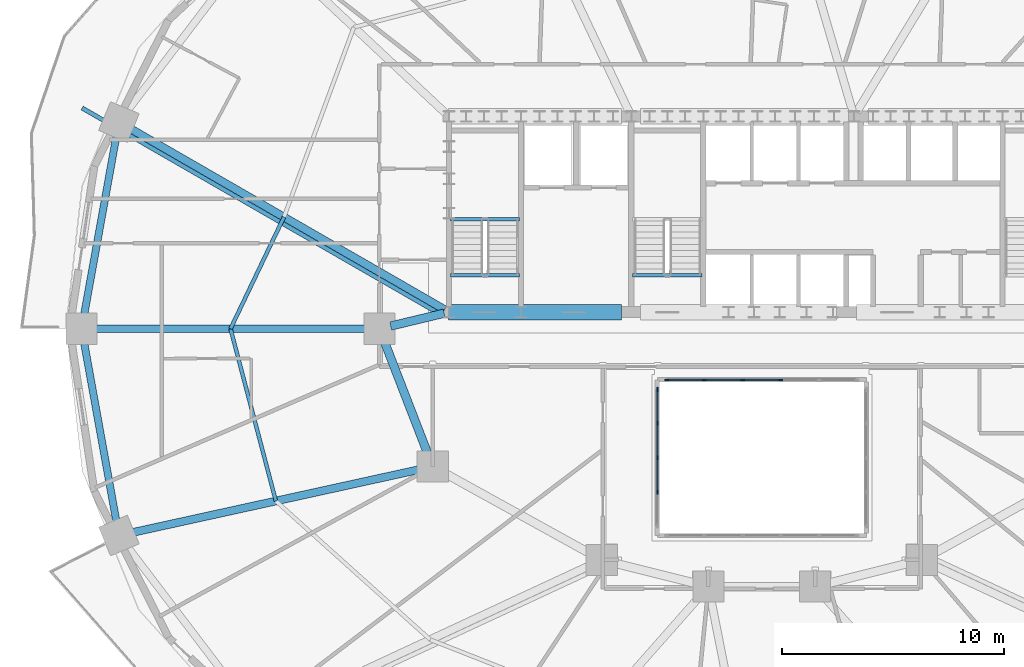
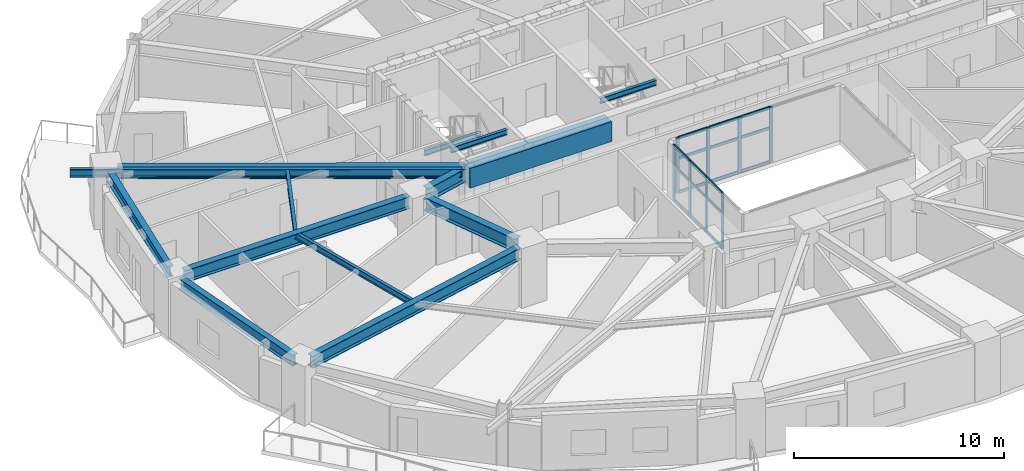
# One storey, part 4 of 18: 26 members, 14 beams, 2 elements without a shape of their own.
"""IFC4 building model written with IfcOpenShell, lengths in metres."""

from ifc_helpers import new_model, si_unit, direction, frame, origin, origin_2d, place, context, subcontext, project, spatial, rectangle, i_section, extrude, material, material_profile, profile_set, type_object, element, aggregate, save


model = new_model("IFC4")

# Units and contexts
model_context = context("Model", 3, precision=1e-05, world=origin(), true_north=direction((0.0, 1.0)))
body_context = subcontext(model_context, "Body", "Model", "MODEL_VIEW")
ifc_project = project(units=[si_unit("LENGTHUNIT", "METRE"), si_unit("AREAUNIT", "SQUARE_METRE"), si_unit("VOLUMEUNIT", "CUBIC_METRE"), si_unit("PLANEANGLEUNIT", "RADIAN"), si_unit("MASSUNIT", "GRAM", prefix="KILO")], contexts=[model_context])

# Site, building, storey
site_placement = place(None, origin())
site = spatial("IfcSite", under=ifc_project, at=site_placement, CompositionType="ELEMENT")
building_placement = place(site_placement, origin())
building = spatial("IfcBuilding", under=site, at=building_placement, Name="Haldorwick Loom Tower", CompositionType="ELEMENT")
storey_placement = place(building_placement, frame((0.0, 0.0, 48.14990234375)))
storey = spatial("IfcBuildingStorey", under=building, at=storey_placement, Name="L12", CompositionType="ELEMENT", Elevation=48.14990234375)

# Curtain wall, members
ifc_material_1 = material(Name="Thermally Broken Anodized Aluminium Curtain Wall Framing", Category="aluminium")
curtain_wall_type = type_object("IfcCurtainWallType", Name="ARC-CW-03", PredefinedType="NOTDEFINED", material=ifc_material_1)
curtain_wall_1_placement = place(storey_placement, origin())
curtain_wall_1 = element("IfcCurtainWall", 1, at=curtain_wall_1_placement, inside=storey, type_object=curtain_wall_type, Name="L12 Atrium Glazed Screen N", PredefinedType="NOTDEFINED")
ifc_material_profile_1 = material_profile(ifc_material_1, rectangle(XDim=0.06591796875, YDim=0.18505859375, at=origin_2d()), Name="ALU_MUL_66X185", Category="aluminium")
ifc_profile_set_1 = profile_set([ifc_material_profile_1], Name="Thermally Broken Anodized Aluminium Curtain Wall Framing")
member_type_1 = type_object("IfcMemberType", Name="ARC-CWM-03", PredefinedType="MULLION", material=ifc_profile_set_1)
member_1_placement = place(storey_placement, frame((31.73291015625, 23.699951171875, 0.0), z_axis=(0.0, 0.0, 1.0), x_axis=(0.0, 1.0, 0.0)))
member_1 = element("IfcMember", 2, at=member_1_placement, type_object=member_type_1, Name="CW-03 mullion 1", PredefinedType="MULLION", context=body_context, shape_type="SweptSolid", body=[
    extrude(rectangle(XDim=0.06591796875, YDim=0.18505859375, at=origin_2d()), origin(), (0.0, 0.0, 1.0), 3.210205078125),
])
member_2_placement = place(storey_placement, frame((33.419921875, 23.699951171875, 0.0), z_axis=(0.0, 0.0, 1.0), x_axis=(0.0, 1.0, 0.0)))
member_2 = element("IfcMember", 3, at=member_2_placement, type_object=member_type_1, Name="CW-03 mullion 2", PredefinedType="MULLION", context=body_context, shape_type="SweptSolid", body=[
    extrude(rectangle(XDim=0.06591796875, YDim=0.18505859375, at=origin_2d()), origin(), (0.0, 0.0, 1.0), 3.210205078125),
])
member_3_placement = place(storey_placement, frame((35.139892578125, 23.699951171875, 0.0), z_axis=(0.0, 0.0, 1.0), x_axis=(0.0, 1.0, 0.0)))
member_3 = element("IfcMember", 4, at=member_3_placement, type_object=member_type_1, Name="CW-03 mullion 3", PredefinedType="MULLION", context=body_context, shape_type="SweptSolid", body=[
    extrude(rectangle(XDim=0.06591796875, YDim=0.18505859375, at=origin_2d()), origin(), (0.0, 0.0, 1.0), 3.210205078125),
])
member_4_placement = place(storey_placement, frame((36.860107421875, 23.699951171875, 0.0), z_axis=(0.0, 0.0, 1.0), x_axis=(0.0, 1.0, 0.0)))
member_4 = element("IfcMember", 5, at=member_4_placement, type_object=member_type_1, Name="CW-03 mullion 4", PredefinedType="MULLION", context=body_context, shape_type="SweptSolid", body=[
    extrude(rectangle(XDim=0.06591796875, YDim=0.18505859375, at=origin_2d()), origin(), (0.0, 0.0, 1.0), 3.210205078125),
])

curtain_wall_2_placement = place(storey_placement, origin())
curtain_wall_2 = element("IfcCurtainWall", 6, at=curtain_wall_2_placement, inside=storey, type_object=curtain_wall_type, Name="L12 Atrium Glazed Screen W", PredefinedType="NOTDEFINED")
member_5_placement = place(storey_placement, frame((31.300048828125, 18.64990234375, 0.0), z_axis=(0.0, 0.0, 1.0), x_axis=(-1.0, 0.0, 0.0)))
member_5 = element("IfcMember", 7, at=member_5_placement, type_object=member_type_1, Name="CW-03 mullion 2", PredefinedType="MULLION", context=body_context, shape_type="SweptSolid", body=[
    extrude(rectangle(XDim=0.06591796875, YDim=0.18505859375, at=origin_2d()), origin(), (0.0, 0.0, 1.0), 3.210205078125),
])
member_6_placement = place(storey_placement, frame((31.300048828125, 20.199951171875, 0.0), z_axis=(0.0, 0.0, 1.0), x_axis=(-1.0, 0.0, 0.0)))
member_6 = element("IfcMember", 8, at=member_6_placement, type_object=member_type_1, Name="CW-03 mullion 3", PredefinedType="MULLION", context=body_context, shape_type="SweptSolid", body=[
    extrude(rectangle(XDim=0.06591796875, YDim=0.18505859375, at=origin_2d()), origin(), (0.0, 0.0, 1.0), 3.210205078125),
])
member_7_placement = place(storey_placement, frame((31.300048828125, 21.75, 0.0), z_axis=(0.0, 0.0, 1.0), x_axis=(-1.0, 0.0, 0.0)))
member_7 = element("IfcMember", 9, at=member_7_placement, type_object=member_type_1, Name="CW-03 mullion 4", PredefinedType="MULLION", context=body_context, shape_type="SweptSolid", body=[
    extrude(rectangle(XDim=0.06591796875, YDim=0.18505859375, at=origin_2d()), origin(), (0.0, 0.0, 1.0), 3.210205078125),
])
member_8_placement = place(storey_placement, frame((31.300048828125, 23.26708984375, 0.0), z_axis=(0.0, 0.0, 1.0), x_axis=(-1.0, 0.0, 0.0)))
member_8 = element("IfcMember", 10, at=member_8_placement, type_object=member_type_1, Name="CW-03 mullion 5", PredefinedType="MULLION", context=body_context, shape_type="SweptSolid", body=[
    extrude(rectangle(XDim=0.06591796875, YDim=0.18505859375, at=origin_2d()), origin(), (0.0, 0.0, 1.0), 3.210205078125),
])

# Member
ifc_material_profile_2 = material_profile(ifc_material_1, rectangle(XDim=0.06591796875, YDim=0.1650390625, at=origin_2d()), Name="ALU_TRN_66X165", Category="aluminium")
ifc_profile_set_2 = profile_set([ifc_material_profile_2], Name="Thermally Broken Anodized Aluminium Curtain Wall Framing")
member_type_2 = type_object("IfcMemberType", Name="ARC-CWT-03", PredefinedType="USERDEFINED", material=ifc_profile_set_2)
member_9_placement = place(storey_placement, frame((31.76611328125, 23.699951171875, 0.033203125), z_axis=(1.0, 0.0, 0.0), x_axis=(0.0, 1.0, 0.0)))
member_9 = element("IfcMember", 11, at=member_9_placement, type_object=member_type_2, Name="CW-03 transom 1.1", ObjectType="TRANSOM", PredefinedType="USERDEFINED", context=body_context, shape_type="SweptSolid", body=[
    extrude(rectangle(XDim=0.06591796875, YDim=0.1650390625, at=origin_2d()), origin(), (0.0, 0.0, 1.0), 1.620849609375),
])

member_10_placement = place(storey_placement, frame((31.76611328125, 23.699951171875, 2.0), z_axis=(1.0, 0.0, 0.0), x_axis=(0.0, 1.0, 0.0)))
member_10 = element("IfcMember", 12, at=member_10_placement, type_object=member_type_2, Name="CW-03 transom 1.2", ObjectType="TRANSOM", PredefinedType="USERDEFINED", context=body_context, shape_type="SweptSolid", body=[
    extrude(rectangle(XDim=0.06591796875, YDim=0.1650390625, at=origin_2d()), origin(), (0.0, 0.0, 1.0), 1.620849609375),
])

member_11_placement = place(storey_placement, frame((31.76611328125, 23.699951171875, 3.177001953125), z_axis=(1.0, 0.0, 0.0), x_axis=(0.0, 1.0, 0.0)))
member_11 = element("IfcMember", 13, at=member_11_placement, type_object=member_type_2, Name="CW-03 transom 1.3", ObjectType="TRANSOM", PredefinedType="USERDEFINED", context=body_context, shape_type="SweptSolid", body=[
    extrude(rectangle(XDim=0.06591796875, YDim=0.1650390625, at=origin_2d()), origin(), (0.0, 0.0, 1.0), 1.620849609375),
])

member_12_placement = place(storey_placement, frame((33.452880859375, 23.699951171875, 0.033203125), z_axis=(1.0, 0.0, 0.0), x_axis=(0.0, 1.0, 0.0)))
member_12 = element("IfcMember", 14, at=member_12_placement, type_object=member_type_2, Name="CW-03 transom 2.1", ObjectType="TRANSOM", PredefinedType="USERDEFINED", context=body_context, shape_type="SweptSolid", body=[
    extrude(rectangle(XDim=0.06591796875, YDim=0.1650390625, at=origin_2d()), origin(), (0.0, 0.0, 1.0), 1.654052734375),
])

member_13_placement = place(storey_placement, frame((33.452880859375, 23.699951171875, 2.0), z_axis=(1.0, 0.0, 0.0), x_axis=(0.0, 1.0, 0.0)))
member_13 = element("IfcMember", 15, at=member_13_placement, type_object=member_type_2, Name="CW-03 transom 2.2", ObjectType="TRANSOM", PredefinedType="USERDEFINED", context=body_context, shape_type="SweptSolid", body=[
    extrude(rectangle(XDim=0.06591796875, YDim=0.1650390625, at=origin_2d()), origin(), (0.0, 0.0, 1.0), 1.654052734375),
])

member_14_placement = place(storey_placement, frame((33.452880859375, 23.699951171875, 3.177001953125), z_axis=(1.0, 0.0, 0.0), x_axis=(0.0, 1.0, 0.0)))
member_14 = element("IfcMember", 16, at=member_14_placement, type_object=member_type_2, Name="CW-03 transom 2.3", ObjectType="TRANSOM", PredefinedType="USERDEFINED", context=body_context, shape_type="SweptSolid", body=[
    extrude(rectangle(XDim=0.06591796875, YDim=0.1650390625, at=origin_2d()), origin(), (0.0, 0.0, 1.0), 1.654052734375),
])

member_15_placement = place(storey_placement, frame((35.173095703125, 23.699951171875, 0.033203125), z_axis=(1.0, 0.0, 0.0), x_axis=(0.0, 1.0, 0.0)))
member_15 = element("IfcMember", 17, at=member_15_placement, type_object=member_type_2, Name="CW-03 transom 3.1", ObjectType="TRANSOM", PredefinedType="USERDEFINED", context=body_context, shape_type="SweptSolid", body=[
    extrude(rectangle(XDim=0.06591796875, YDim=0.1650390625, at=origin_2d()), origin(), (0.0, 0.0, 1.0), 1.65380859375),
])

member_16_placement = place(storey_placement, frame((35.173095703125, 23.699951171875, 2.0), z_axis=(1.0, 0.0, 0.0), x_axis=(0.0, 1.0, 0.0)))
member_16 = element("IfcMember", 18, at=member_16_placement, type_object=member_type_2, Name="CW-03 transom 3.2", ObjectType="TRANSOM", PredefinedType="USERDEFINED", context=body_context, shape_type="SweptSolid", body=[
    extrude(rectangle(XDim=0.06591796875, YDim=0.1650390625, at=origin_2d()), origin(), (0.0, 0.0, 1.0), 1.65380859375),
])

member_17_placement = place(storey_placement, frame((35.173095703125, 23.699951171875, 3.177001953125), z_axis=(1.0, 0.0, 0.0), x_axis=(0.0, 1.0, 0.0)))
member_17 = element("IfcMember", 19, at=member_17_placement, type_object=member_type_2, Name="CW-03 transom 3.3", ObjectType="TRANSOM", PredefinedType="USERDEFINED", context=body_context, shape_type="SweptSolid", body=[
    extrude(rectangle(XDim=0.06591796875, YDim=0.1650390625, at=origin_2d()), origin(), (0.0, 0.0, 1.0), 1.65380859375),
])

aggregate(curtain_wall_1, [member_1, member_2, member_3, member_4, member_9, member_10, member_11, member_12, member_13, member_14, member_15, member_16, member_17])

member_18_placement = place(storey_placement, frame((31.300048828125, 18.68310546875, 0.033203125), z_axis=(0.0, 1.0, 0.0), x_axis=(-1.0, 0.0, 0.0)))
member_18 = element("IfcMember", 20, at=member_18_placement, type_object=member_type_2, Name="CW-03 transom 2.1", ObjectType="TRANSOM", PredefinedType="USERDEFINED", context=body_context, shape_type="SweptSolid", body=[
    extrude(rectangle(XDim=0.06591796875, YDim=0.1650390625, at=origin_2d()), origin(), (0.0, 0.0, 1.0), 1.48388671875),
])

member_19_placement = place(storey_placement, frame((31.300048828125, 18.68310546875, 2.0), z_axis=(0.0, 1.0, 0.0), x_axis=(-1.0, 0.0, 0.0)))
member_19 = element("IfcMember", 21, at=member_19_placement, type_object=member_type_2, Name="CW-03 transom 2.2", ObjectType="TRANSOM", PredefinedType="USERDEFINED", context=body_context, shape_type="SweptSolid", body=[
    extrude(rectangle(XDim=0.06591796875, YDim=0.1650390625, at=origin_2d()), origin(), (0.0, 0.0, 1.0), 1.48388671875),
])

member_20_placement = place(storey_placement, frame((31.300048828125, 18.68310546875, 3.177001953125), z_axis=(0.0, 1.0, 0.0), x_axis=(-1.0, 0.0, 0.0)))
member_20 = element("IfcMember", 22, at=member_20_placement, type_object=member_type_2, Name="CW-03 transom 2.3", ObjectType="TRANSOM", PredefinedType="USERDEFINED", context=body_context, shape_type="SweptSolid", body=[
    extrude(rectangle(XDim=0.06591796875, YDim=0.1650390625, at=origin_2d()), origin(), (0.0, 0.0, 1.0), 1.48388671875),
])

member_21_placement = place(storey_placement, frame((31.300048828125, 20.23291015625, 0.033203125), z_axis=(0.0, 1.0, 0.0), x_axis=(-1.0, 0.0, 0.0)))
member_21 = element("IfcMember", 23, at=member_21_placement, type_object=member_type_2, Name="CW-03 transom 3.1", ObjectType="TRANSOM", PredefinedType="USERDEFINED", context=body_context, shape_type="SweptSolid", body=[
    extrude(rectangle(XDim=0.06591796875, YDim=0.1650390625, at=origin_2d()), origin(), (0.0, 0.0, 1.0), 1.484130859375),
])

member_22_placement = place(storey_placement, frame((31.300048828125, 20.23291015625, 2.0), z_axis=(0.0, 1.0, 0.0), x_axis=(-1.0, 0.0, 0.0)))
member_22 = element("IfcMember", 24, at=member_22_placement, type_object=member_type_2, Name="CW-03 transom 3.2", ObjectType="TRANSOM", PredefinedType="USERDEFINED", context=body_context, shape_type="SweptSolid", body=[
    extrude(rectangle(XDim=0.06591796875, YDim=0.1650390625, at=origin_2d()), origin(), (0.0, 0.0, 1.0), 1.484130859375),
])

member_23_placement = place(storey_placement, frame((31.300048828125, 20.23291015625, 3.177001953125), z_axis=(0.0, 1.0, 0.0), x_axis=(-1.0, 0.0, 0.0)))
member_23 = element("IfcMember", 25, at=member_23_placement, type_object=member_type_2, Name="CW-03 transom 3.3", ObjectType="TRANSOM", PredefinedType="USERDEFINED", context=body_context, shape_type="SweptSolid", body=[
    extrude(rectangle(XDim=0.06591796875, YDim=0.1650390625, at=origin_2d()), origin(), (0.0, 0.0, 1.0), 1.484130859375),
])

member_24_placement = place(storey_placement, frame((31.300048828125, 21.782958984375, 0.033203125), z_axis=(0.0, 1.0, 0.0), x_axis=(-1.0, 0.0, 0.0)))
member_24 = element("IfcMember", 26, at=member_24_placement, type_object=member_type_2, Name="CW-03 transom 4.1", ObjectType="TRANSOM", PredefinedType="USERDEFINED", context=body_context, shape_type="SweptSolid", body=[
    extrude(rectangle(XDim=0.06591796875, YDim=0.1650390625, at=origin_2d()), origin(), (0.0, 0.0, 1.0), 1.450927734375),
])

member_25_placement = place(storey_placement, frame((31.300048828125, 21.782958984375, 2.0), z_axis=(0.0, 1.0, 0.0), x_axis=(-1.0, 0.0, 0.0)))
member_25 = element("IfcMember", 27, at=member_25_placement, type_object=member_type_2, Name="CW-03 transom 4.2", ObjectType="TRANSOM", PredefinedType="USERDEFINED", context=body_context, shape_type="SweptSolid", body=[
    extrude(rectangle(XDim=0.06591796875, YDim=0.1650390625, at=origin_2d()), origin(), (0.0, 0.0, 1.0), 1.450927734375),
])

member_26_placement = place(storey_placement, frame((31.300048828125, 21.782958984375, 3.177001953125), z_axis=(0.0, 1.0, 0.0), x_axis=(-1.0, 0.0, 0.0)))
member_26 = element("IfcMember", 28, at=member_26_placement, type_object=member_type_2, Name="CW-03 transom 4.3", ObjectType="TRANSOM", PredefinedType="USERDEFINED", context=body_context, shape_type="SweptSolid", body=[
    extrude(rectangle(XDim=0.06591796875, YDim=0.1650390625, at=origin_2d()), origin(), (0.0, 0.0, 1.0), 1.450927734375),
])

aggregate(curtain_wall_2, [member_5, member_6, member_7, member_8, member_18, member_19, member_20, member_21, member_22, member_23, member_24, member_25, member_26])

# Beams
ifc_material_2 = material(Name="Steel CSA G40.21 350W", Category="steel")
ifc_material_profile_3 = material_profile(ifc_material_2, i_section(OverallWidth=0.193115234375, OverallDepth=0.466064453125, WebThickness=0.011474609375, FlangeThickness=0.01904296875, at=origin_2d()), Name="W460X97", Category="steel")
ifc_profile_set_3 = profile_set([ifc_material_profile_3], Name="Steel CSA G40.21 350W")
beam_type_1 = type_object("IfcBeamType", Name="STR-BM-BAL460", PredefinedType="BEAM", material=ifc_profile_set_3)
beam_1_placement = place(storey_placement, frame((21.59521484375, 26.61962890625, 2.97705078125), z_axis=(-0.866607024941, 0.49899124674, 0.0), x_axis=(-0.49899124674, -0.866607024941, 0.0)))
element("IfcBeam", 29, at=beam_1_placement, inside=storey, type_object=beam_type_1, Name="L12 Continuous Back-Spanned Balcony Beam 3", PredefinedType="BEAM", context=body_context, shape_type="SweptSolid", body=[
    extrude(i_section(OverallWidth=0.193115234375, OverallDepth=0.466064453125, WebThickness=0.011474609375, FlangeThickness=0.01904296875, at=origin_2d()), origin(), (0.0, 0.0, 1.0), 18.65771484375),
])
ifc_material_3 = material(Name="Concrete C60 (60 MPa)", Category="concrete")
ifc_material_profile_4 = material_profile(ifc_material_3, rectangle(XDim=0.699951171875, YDim=1.14990234375, at=origin_2d()), Name="RC700X1150", Category="concrete")
ifc_profile_set_4 = profile_set([ifc_material_profile_4], Name="Concrete C60 (60 MPa)")
beam_type_2 = type_object("IfcBeamType", Name="STR-BM-CB1150", PredefinedType="LINTEL", material=ifc_profile_set_4)
beam_2_placement = place(storey_placement, frame((21.89990234375, 26.75, 2.635009765625), z_axis=(1.0, 0.0, 0.0), x_axis=(0.0, 1.0, 0.0)))
element("IfcBeam", 30, at=beam_2_placement, inside=storey, type_object=beam_type_2, Name="L12 Core Coupling Beam CB-S1", PredefinedType="LINTEL", context=body_context, shape_type="SweptSolid", body=[
    extrude(rectangle(XDim=0.699951171875, YDim=1.14990234375, at=origin_2d()), origin(), (0.0, 0.0, 1.0), 7.800048828125),
])
ifc_material_profile_5 = material_profile(ifc_material_2, i_section(OverallWidth=0.172119140625, OverallDepth=0.35791015625, WebThickness=0.0078125, FlangeThickness=0.01318359375, at=origin_2d()), Name="W360X57", Category="steel")
ifc_profile_set_5 = profile_set([ifc_material_profile_5], Name="Steel CSA G40.21 350W")
beam_type_3 = type_object("IfcBeamType", Name="STR-BM-J360", PredefinedType="JOIST", material=ifc_profile_set_5)
beam_3_placement = place(storey_placement, frame((14.50634765625, 31.024658203125, 3.031005859375), z_axis=(-0.431630738849, -0.902050389546, 0.0), x_axis=(0.902050389546, -0.431630738849, 0.0)))
element("IfcBeam", 31, at=beam_3_placement, inside=storey, type_object=beam_type_3, Name="L12 Mid-Bay Secondary Joist 8", PredefinedType="JOIST", context=body_context, shape_type="SweptSolid", body=[
    extrude(i_section(OverallWidth=0.172119140625, OverallDepth=0.35791015625, WebThickness=0.0078125, FlangeThickness=0.01318359375, at=origin_2d()), origin(), (0.0, 0.0, 1.0), 5.5703125),
])
beam_4_placement = place(storey_placement, frame((12.10205078125, 26.0, 3.031005859375), z_axis=(0.2544888003, -0.967075721193, 0.0), x_axis=(0.967075721193, 0.2544888003, 0.0)))
element("IfcBeam", 32, at=beam_4_placement, inside=storey, type_object=beam_type_3, Name="L12 Mid-Bay Secondary Joist 9", PredefinedType="JOIST", context=body_context, shape_type="SweptSolid", body=[
    extrude(i_section(OverallWidth=0.172119140625, OverallDepth=0.35791015625, WebThickness=0.0078125, FlangeThickness=0.01318359375, at=origin_2d()), origin(), (0.0, 0.0, 1.0), 8.013427734375),
])
ifc_material_profile_6 = material_profile(ifc_material_2, i_section(OverallWidth=0.324951171875, OverallDepth=0.615966796875, WebThickness=0.013916015625, FlangeThickness=0.021484375, at=origin_2d()), Name="W610X174", Category="steel")
ifc_profile_set_6 = profile_set([ifc_material_profile_6], Name="Steel CSA G40.21 350W")
beam_type_4 = type_object("IfcBeamType", Name="STR-BM-SP610", PredefinedType="SPANDREL", material=ifc_profile_set_6)
for number, where, z_axis, x_axis, name in (
    (33, (6.990234375, 34.78759765625, 2.902099609375), (-0.177641139482, -0.984095333575, 0.0), (0.984095333575, -0.177641139482, 0.0), "L12 Perimeter Spandrel 8"),
    (34, (5.496337890625, 25.48828125, 2.902099609375), (0.177641139482, -0.984095333575, 0.0), (0.984095333575, 0.177641139482, 0.0), "L12 Perimeter Spandrel 9"),
):
    element("IfcBeam", number, at=place(storey_placement, frame(where, z_axis=z_axis, x_axis=x_axis)), inside=storey, type_object=beam_type_4, Name=name, PredefinedType="SPANDREL", context=body_context, shape_type="SweptSolid", body=[
        extrude(i_section(OverallWidth=0.324951171875, OverallDepth=0.615966796875, WebThickness=0.013916015625, FlangeThickness=0.021484375, at=origin_2d()), origin(), (0.0, 0.0, 1.0), 8.40966796875),
    ])
ifc_material_profile_7 = material_profile(ifc_material_2, i_section(OverallWidth=0.166015625, OverallDepth=0.31298828125, WebThickness=0.006591796875, FlangeThickness=0.01123046875, at=origin_2d()), Name="W310X45", Category="steel")
ifc_profile_set_7 = profile_set([ifc_material_profile_7], Name="Steel CSA G40.21 350W")
beam_type_5 = type_object("IfcBeamType", Name="STR-BM-STRM", PredefinedType="BEAM", material=ifc_profile_set_7)
for number, where, z_axis, x_axis, name in (
    (35, (21.989990234375, 28.39990234375, 3.0537109375), (1.0, 0.0, 0.0), (0.0, 1.0, 0.0), "L12 Stair ST-01 Landing Edge Trimmer"),
    (36, (21.989990234375, 30.919921875, 1.36865234375), (1.0, 0.0, 0.0), (0.0, 1.0, 0.0), "L12 Stair ST-01 Half-Landing Trimmer 1"),
    (37, (30.18994140625, 28.39990234375, 3.0537109375), (1.0, 0.0, 0.0), (0.0, 1.0, 0.0), "L12 Stair ST-03 Landing Edge Trimmer"),
):
    element("IfcBeam", number, at=place(storey_placement, frame(where, z_axis=z_axis, x_axis=x_axis)), inside=storey, type_object=beam_type_5, Name=name, PredefinedType="BEAM", context=body_context, shape_type="SweptSolid", body=[
        extrude(i_section(OverallWidth=0.166015625, OverallDepth=0.31298828125, WebThickness=0.006591796875, FlangeThickness=0.01123046875, at=origin_2d()), origin(), (0.0, 0.0, 1.0), 3.1201171875),
    ])
ifc_material_profile_8 = material_profile(ifc_material_2, i_section(OverallWidth=0.35498046875, OverallDepth=0.695068359375, WebThickness=0.015380859375, FlangeThickness=0.02490234375, at=origin_2d()), Name="W690X217", Category="steel")
ifc_profile_set_8 = profile_set([ifc_material_profile_8], Name="Steel CSA G40.21 350W")
beam_type_6 = type_object("IfcBeamType", Name="STR-BM-W690", PredefinedType="BEAM", material=ifc_profile_set_8)
beam_5_placement = place(storey_placement, frame((21.735107421875, 26.8623046875, 2.862548828125), z_axis=(-0.86660566838, 0.498993602696, 0.0), x_axis=(-0.498993602696, -0.86660566838, 0.0)))
element("IfcBeam", 38, at=beam_5_placement, inside=storey, type_object=beam_type_6, Name="L12 Radial Floor Girder 8", PredefinedType="BEAM", context=body_context, shape_type="SweptSolid", body=[
    extrude(i_section(OverallWidth=0.35498046875, OverallDepth=0.695068359375, WebThickness=0.015380859375, FlangeThickness=0.02490234375, at=origin_2d()), origin(), (0.0, 0.0, 1.0), 16.387939453125),
])
beam_6_placement = place(storey_placement, frame((18.280029296875, 26.0, 2.862548828125), z_axis=(-1.0, 0.0, 0.0), x_axis=(0.0, -1.0, 0.0)))
element("IfcBeam", 39, at=beam_6_placement, inside=storey, type_object=beam_type_6, Name="L12 Radial Floor Girder 9", PredefinedType="BEAM", context=body_context, shape_type="SweptSolid", body=[
    extrude(i_section(OverallWidth=0.35498046875, OverallDepth=0.695068359375, WebThickness=0.015380859375, FlangeThickness=0.02490234375, at=origin_2d()), origin(), (0.0, 0.0, 1.0), 12.35595703125),
])
beam_7_placement = place(storey_placement, frame((20.692138671875, 19.6884765625, 2.862548828125), z_axis=(-0.976740159434, -0.214426353203, 0.0), x_axis=(0.214426353203, -0.976740159434, 0.0)))
element("IfcBeam", 40, at=beam_7_placement, inside=storey, type_object=beam_type_6, Name="L12 Radial Floor Girder 10", PredefinedType="BEAM", context=body_context, shape_type="SweptSolid", body=[
    extrude(i_section(OverallWidth=0.35498046875, OverallDepth=0.695068359375, WebThickness=0.015380859375, FlangeThickness=0.02490234375, at=origin_2d()), origin(), (0.0, 0.0, 1.0), 13.41357421875),
])
ifc_material_profile_9 = material_profile(ifc_material_2, i_section(OverallWidth=0.381103515625, OverallDepth=0.77294921875, WebThickness=0.0166015625, FlangeThickness=0.027587890625, at=origin_2d()), Name="W760X257", Category="steel")
ifc_profile_set_9 = profile_set([ifc_material_profile_9], Name="Steel CSA G40.21 350W")
beam_type_7 = type_object("IfcBeamType", Name="STR-BM-W760", PredefinedType="BEAM", material=ifc_profile_set_9)
beam_8_placement = place(storey_placement, frame((21.01220703125, 20.284912109375, 2.823486328125), z_axis=(-0.360964792353, 0.93257944363, 0.0), x_axis=(-0.93257944363, -0.360964792353, 0.0)))
element("IfcBeam", 41, at=beam_8_placement, inside=storey, type_object=beam_type_7, Name="L12 Inner Ring Girder 8", PredefinedType="BEAM", context=body_context, shape_type="SweptSolid", body=[
    extrude(i_section(OverallWidth=0.381103515625, OverallDepth=0.77294921875, WebThickness=0.0166015625, FlangeThickness=0.027587890625, at=origin_2d()), origin(), (0.0, 0.0, 1.0), 5.6083984375),
])
beam_9_placement = place(storey_placement, frame((19.3056640625, 26.12109375, 2.823486328125), z_axis=(0.97247055837, 0.233025777764, 0.0), x_axis=(-0.233025777764, 0.97247055837, 0.0)))
element("IfcBeam", 42, at=beam_9_placement, inside=storey, type_object=beam_type_7, Name="L12 Inner Ring Girder 9", PredefinedType="BEAM", context=body_context, shape_type="SweptSolid", body=[
    extrude(i_section(OverallWidth=0.381103515625, OverallDepth=0.77294921875, WebThickness=0.0166015625, FlangeThickness=0.027587890625, at=origin_2d()), origin(), (0.0, 0.0, 1.0), 2.4736328125),
])

save(model, "model.ifc")
